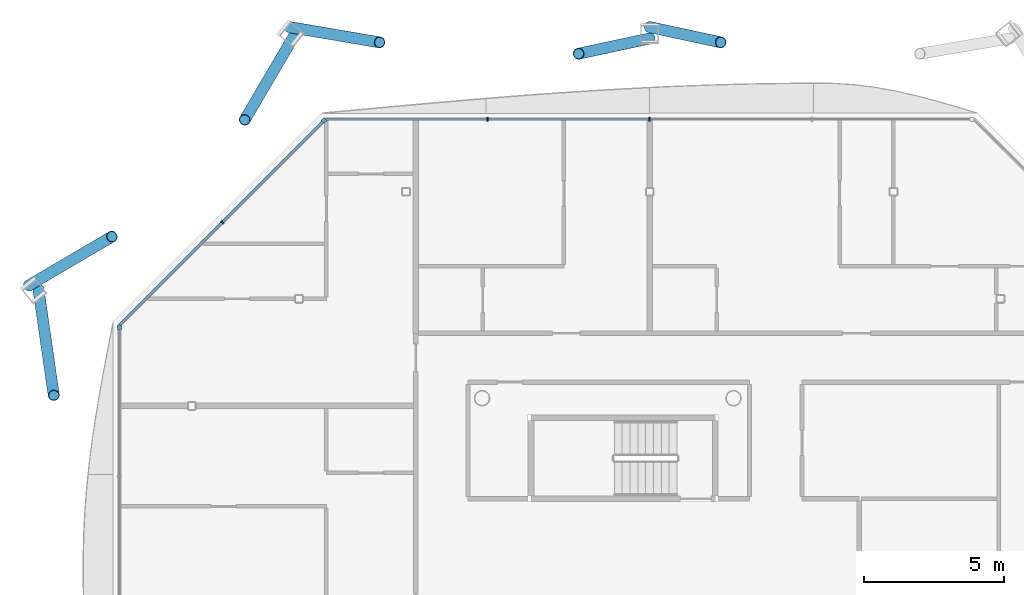
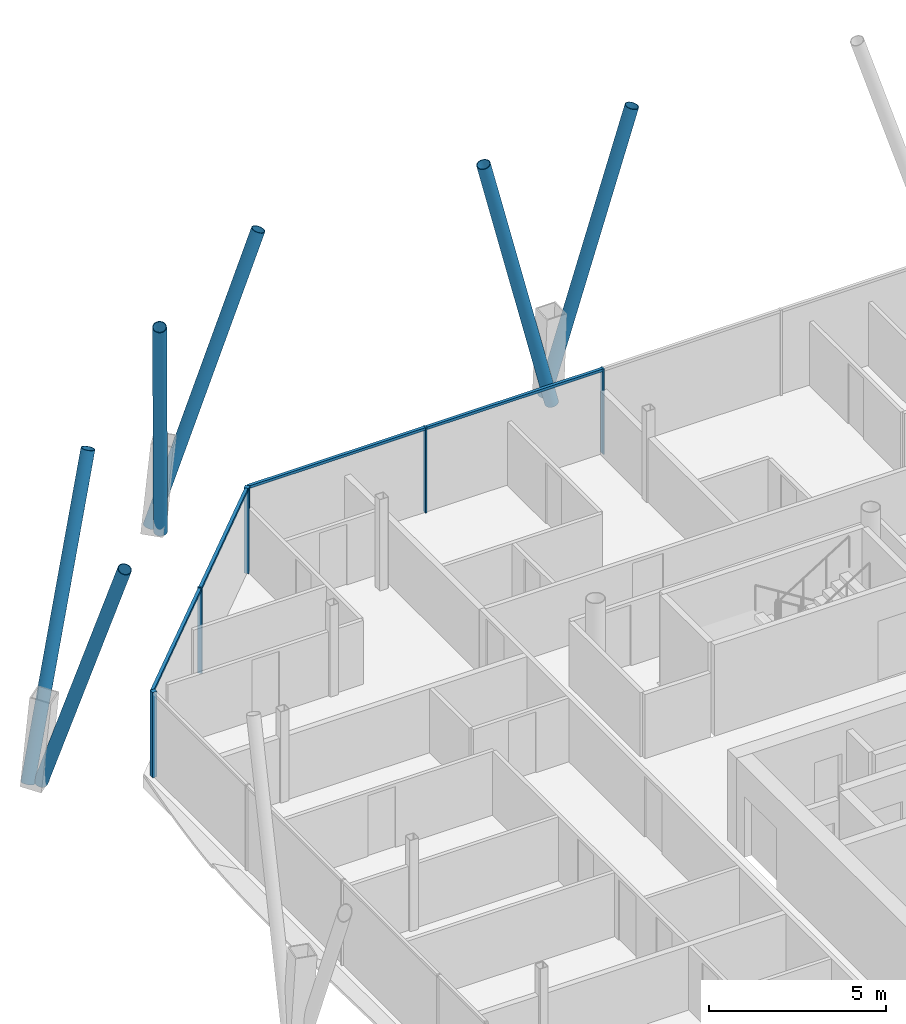
# One storey, part 9 of 18: 15 members, 3 elements without a shape of their own.
"""IFC4 building model written with IfcOpenShell, lengths in metres."""

from ifc_helpers import new_model, si_unit, direction, frame, origin, origin_2d, place, context, subcontext, project, spatial, rectangle, hollow_circle, extrude, material, material_profile, profile_set, type_object, element, aggregate, save


model = new_model("IFC4")

# Units and contexts
model_context = context("Model", 3, precision=1e-05, world=origin(), true_north=direction((0.0, 1.0)))
body_context = subcontext(model_context, "Body", "Model", "MODEL_VIEW")
ifc_project = project(units=[si_unit("LENGTHUNIT", "METRE"), si_unit("AREAUNIT", "SQUARE_METRE"), si_unit("VOLUMEUNIT", "CUBIC_METRE"), si_unit("PLANEANGLEUNIT", "RADIAN"), si_unit("MASSUNIT", "GRAM", prefix="KILO")], contexts=[model_context])

# Site, building, storey
site_placement = place(None, origin())
site = spatial("IfcSite", under=ifc_project, at=site_placement, CompositionType="ELEMENT")
building_placement = place(site_placement, origin())
building = spatial("IfcBuilding", under=site, at=building_placement, Name="Tskaro Facet Tower", CompositionType="ELEMENT")
storey_placement = place(building_placement, frame((0.0, 0.0, 217.199951171875)))
storey = spatial("IfcBuildingStorey", under=building, at=storey_placement, Name="L55", CompositionType="ELEMENT", Elevation=217.199951171875)

# Members
ifc_material_1 = material(Name="Steel S355J2H", Category="steel")
ifc_material_profile_1 = material_profile(ifc_material_1, hollow_circle(Radius=0.203125, WallThickness=0.02001953125, at=origin_2d()), Name="CHS 406.4x20")
ifc_profile_set_1 = profile_set([ifc_material_profile_1], Name="Steel S355J2H")
member_type_1 = type_object("IfcMemberType", Name="CHS 406.4x20 brace", PredefinedType="BRACE", material=ifc_profile_set_1)
for number, where, z_axis, x_axis, name in (
    (1, (-3.0, 22.2880859375, 0.0), (0.259541161859, -0.055893509329, 0.964113219967), (0.210528488456, 0.977587722687, 0.0), "CHS 406.4x20 XB07B/5"),
    (2, (-3.0, 21.8818359375, 0.0), (-0.259540800447, -0.055918339444, 0.964111877438), (0.210618145957, -0.977568410186, 0.0), "CHS 406.4x20 XB08A/5"),
):
    element("IfcMember", number, at=place(storey_placement, frame(where, z_axis=z_axis, x_axis=x_axis)), inside=storey, type_object=member_type_1, Name=name, PredefinedType="BRACE", context=body_context, shape_type="SweptSolid", body=[
        extrude(hollow_circle(Radius=0.203125, WallThickness=0.02001953125, at=origin_2d()), origin(), (0.0, 0.0, 1.0), 9.8017578125),
    ])
member_1_placement = place(storey_placement, frame((-15.89404296875, 22.2880859375, 0.0), z_axis=(0.322373715052, -0.054786929459, 0.945025703462), x_axis=(0.167546148248, 0.985864234166, 0.0)))
element("IfcMember", 3, at=member_1_placement, inside=storey, type_object=member_type_1, Name="CHS 406.4x20 XB08B/5", PredefinedType="BRACE", context=body_context, shape_type="SweptSolid", body=[
    extrude(hollow_circle(Radius=0.203125, WallThickness=0.02001953125, at=origin_2d()), origin(), (0.0, 0.0, 1.0), 9.999755859375),
])
for number, where, z_axis, x_axis, name in (
    (4, (-15.750244140625, 21.94140625, 0.0), (-0.173911453254, -0.295918818534, 0.939248028619), (0.86213587545, -0.506677147958, 0.0), "CHS 406.4x20 XB09A/5"),
    (5, (-25.228759765625, 13.03759765625, 0.0), (0.295918818534, 0.173911453254, 0.939248028619), (-0.506677147958, 0.86213587545, 0.0), "CHS 406.4x20 XB09B/5"),
):
    element("IfcMember", number, at=place(storey_placement, frame(where, z_axis=z_axis, x_axis=x_axis)), inside=storey, type_object=member_type_1, Name=name, PredefinedType="BRACE", context=body_context, shape_type="SweptSolid", body=[
        extrude(hollow_circle(Radius=0.203125, WallThickness=0.02001953125, at=origin_2d()), origin(), (0.0, 0.0, 1.0), 10.061279296875),
    ])
member_2_placement = place(storey_placement, frame((-24.8818359375, 12.89404296875, 0.0), z_axis=(0.053751501851, -0.371807159127, 0.926752508748), x_axis=(0.989711015465, 0.143080766934, 0.0)))
element("IfcMember", 6, at=member_2_placement, inside=storey, type_object=member_type_1, Name="CHS 406.4x20 XB10A/5", PredefinedType="BRACE", context=body_context, shape_type="SweptSolid", body=[
    extrude(hollow_circle(Radius=0.203125, WallThickness=0.02001953125, at=origin_2d()), origin(), (0.0, 0.0, 1.0), 10.19677734375),
])

# Curtain wall, member
ifc_material_2 = material(Name="Bronze anodised aluminium 6063-T6", Category="aluminium")
curtain_wall_type = type_object("IfcCurtainWallType", Name="Bronze residence curtain wall (FW3)", PredefinedType="NOTDEFINED", material=ifc_material_2)
curtain_wall_1_placement = place(storey_placement, origin())
curtain_wall_1 = element("IfcCurtainWall", 7, at=curtain_wall_1_placement, inside=storey, type_object=curtain_wall_type, Name="FW3 north-west facet L55", PredefinedType="NOTDEFINED")
ifc_material_profile_2 = material_profile(ifc_material_2, rectangle(XDim=0.139892578125, YDim=0.139892578125, at=origin_2d()), Name="Corner post 140x140")
ifc_profile_set_2 = profile_set([ifc_material_profile_2], Name="Bronze anodised aluminium 6063-T6")
member_type_2 = type_object("IfcMemberType", Name="FW3 bronze corner post 140x140", PredefinedType="MULLION", material=ifc_profile_set_2)
member_3_placement = place(storey_placement, frame((-14.658447265625, 18.935546875, 0.0), z_axis=(0.0, 0.0, 1.0), x_axis=(-0.707106781187, -0.707106781187, 0.0)))
member_3 = element("IfcMember", 8, at=member_3_placement, type_object=member_type_2, Name="FW3 north-west corner post", PredefinedType="MULLION", context=body_context, shape_type="SweptSolid", body=[
    extrude(rectangle(XDim=0.139892578125, YDim=0.139892578125, at=origin_2d()), origin(), (0.0, 0.0, 1.0), 2.949951171875),
])

curtain_wall_2_placement = place(storey_placement, origin())
curtain_wall_2 = element("IfcCurtainWall", 9, at=curtain_wall_2_placement, inside=storey, type_object=curtain_wall_type, Name="FW3 west facet L55", PredefinedType="NOTDEFINED")
member_4_placement = place(storey_placement, frame((-21.985107421875, 11.5390625, 0.0), z_axis=(0.0, 0.0, 1.0), x_axis=(0.0, -1.0, 0.0)))
member_4 = element("IfcMember", 10, at=member_4_placement, type_object=member_type_2, Name="FW3 west corner post", PredefinedType="MULLION", context=body_context, shape_type="SweptSolid", body=[
    extrude(rectangle(XDim=0.139892578125, YDim=0.139892578125, at=origin_2d()), origin(), (0.0, 0.0, 1.0), 2.949951171875),
])
aggregate(curtain_wall_2, [member_4])

# Curtain wall, members
curtain_wall_3_placement = place(storey_placement, origin())
curtain_wall_3 = element("IfcCurtainWall", 11, at=curtain_wall_3_placement, inside=storey, type_object=curtain_wall_type, Name="FW3 north facet L55", PredefinedType="NOTDEFINED")
ifc_material_profile_3 = material_profile(ifc_material_2, rectangle(XDim=0.050048828125, YDim=0.139892578125, at=origin_2d()), Name="Mullion 50x140")
ifc_profile_set_3 = profile_set([ifc_material_profile_3], Name="Bronze anodised aluminium 6063-T6")
member_type_3 = type_object("IfcMemberType", Name="FW3 bronze mullion 50x140", PredefinedType="MULLION", material=ifc_profile_set_3)
member_5_placement = place(storey_placement, frame((-3.0, 18.985107421875, 0.0), z_axis=(0.0, 0.0, 1.0), x_axis=(-1.0, 0.0, 0.0)))
member_5 = element("IfcMember", 12, at=member_5_placement, type_object=member_type_3, Name="FW3 north mullion 2", PredefinedType="MULLION", context=body_context, shape_type="SweptSolid", body=[
    extrude(rectangle(XDim=0.050048828125, YDim=0.139892578125, at=origin_2d()), origin(), (0.0, 0.0, 1.0), 2.949951171875),
])
member_6_placement = place(storey_placement, frame((-8.804443359375, 18.985107421875, 0.0), z_axis=(0.0, 0.0, 1.0), x_axis=(-1.0, 0.0, 0.0)))
member_6 = element("IfcMember", 13, at=member_6_placement, type_object=member_type_3, Name="FW3 north mullion 3", PredefinedType="MULLION", context=body_context, shape_type="SweptSolid", body=[
    extrude(rectangle(XDim=0.050048828125, YDim=0.139892578125, at=origin_2d()), origin(), (0.0, 0.0, 1.0), 2.949951171875),
])

# Member
member_7_placement = place(storey_placement, frame((-18.297119140625, 15.297119140625, 0.0), z_axis=(0.0, 0.0, 1.0), x_axis=(-0.707106781187, -0.707106781187, 0.0)))
member_7 = element("IfcMember", 14, at=member_7_placement, type_object=member_type_3, Name="FW3 north-west mullion 1", PredefinedType="MULLION", context=body_context, shape_type="SweptSolid", body=[
    extrude(rectangle(XDim=0.050048828125, YDim=0.139892578125, at=origin_2d()), origin(), (0.0, 0.0, 1.0), 2.949951171875),
])

ifc_material_profile_4 = material_profile(ifc_material_2, rectangle(XDim=0.10009765625, YDim=0.090087890625, at=origin_2d()), Name="Transom 100x90")
ifc_profile_set_4 = profile_set([ifc_material_profile_4], Name="Bronze anodised aluminium 6063-T6")
member_type_4 = type_object("IfcMemberType", Name="FW3 bronze transom 100x90", PredefinedType="USERDEFINED", material=ifc_profile_set_4)
member_8_placement = place(storey_placement, frame((-3.02490234375, 18.985107421875, 2.905029296875), z_axis=(-1.0, 0.0, 0.0), x_axis=(0.0, -1.0, 0.0)))
member_8 = element("IfcMember", 15, at=member_8_placement, type_object=member_type_4, Name="FW3 north transom 3.1", ObjectType="TRANSOM", PredefinedType="USERDEFINED", context=body_context, shape_type="SweptSolid", body=[
    extrude(rectangle(XDim=0.10009765625, YDim=0.090087890625, at=origin_2d()), origin(), (0.0, 0.0, 1.0), 5.754638671875),
])

member_9_placement = place(storey_placement, frame((-8.82958984375, 18.985107421875, 2.905029296875), z_axis=(-1.0, 0.0, 0.0), x_axis=(0.0, -1.0, 0.0)))
member_9 = element("IfcMember", 16, at=member_9_placement, type_object=member_type_4, Name="FW3 north transom 4.1", ObjectType="TRANSOM", PredefinedType="USERDEFINED", context=body_context, shape_type="SweptSolid", body=[
    extrude(rectangle(XDim=0.10009765625, YDim=0.090087890625, at=origin_2d()), origin(), (0.0, 0.0, 1.0), 5.779296875),
])

aggregate(curtain_wall_3, [member_5, member_6, member_8, member_9])

member_10_placement = place(storey_placement, frame((-14.7080078125, 18.885986328125, 2.905029296875), z_axis=(-0.707106781187, -0.707106781187, 0.0), x_axis=(0.707106781187, -0.707106781187, 0.0)))
member_10 = element("IfcMember", 17, at=member_10_placement, type_object=member_type_4, Name="FW3 north-west transom 1.1", ObjectType="TRANSOM", PredefinedType="USERDEFINED", context=body_context, shape_type="SweptSolid", body=[
    extrude(rectangle(XDim=0.10009765625, YDim=0.090087890625, at=origin_2d()), origin(), (0.0, 0.0, 1.0), 5.050537109375),
])

member_11_placement = place(storey_placement, frame((-18.314697265625, 15.279296875, 2.905029296875), z_axis=(-0.707106781187, -0.707106781187, 0.0), x_axis=(0.707106781187, -0.707106781187, 0.0)))
member_11 = element("IfcMember", 18, at=member_11_placement, type_object=member_type_4, Name="FW3 north-west transom 2.1", ObjectType="TRANSOM", PredefinedType="USERDEFINED", context=body_context, shape_type="SweptSolid", body=[
    extrude(rectangle(XDim=0.10009765625, YDim=0.090087890625, at=origin_2d()), origin(), (0.0, 0.0, 1.0), 5.190673828125),
])

aggregate(curtain_wall_1, [member_3, member_7, member_10, member_11])

save(model, "model.ifc")
